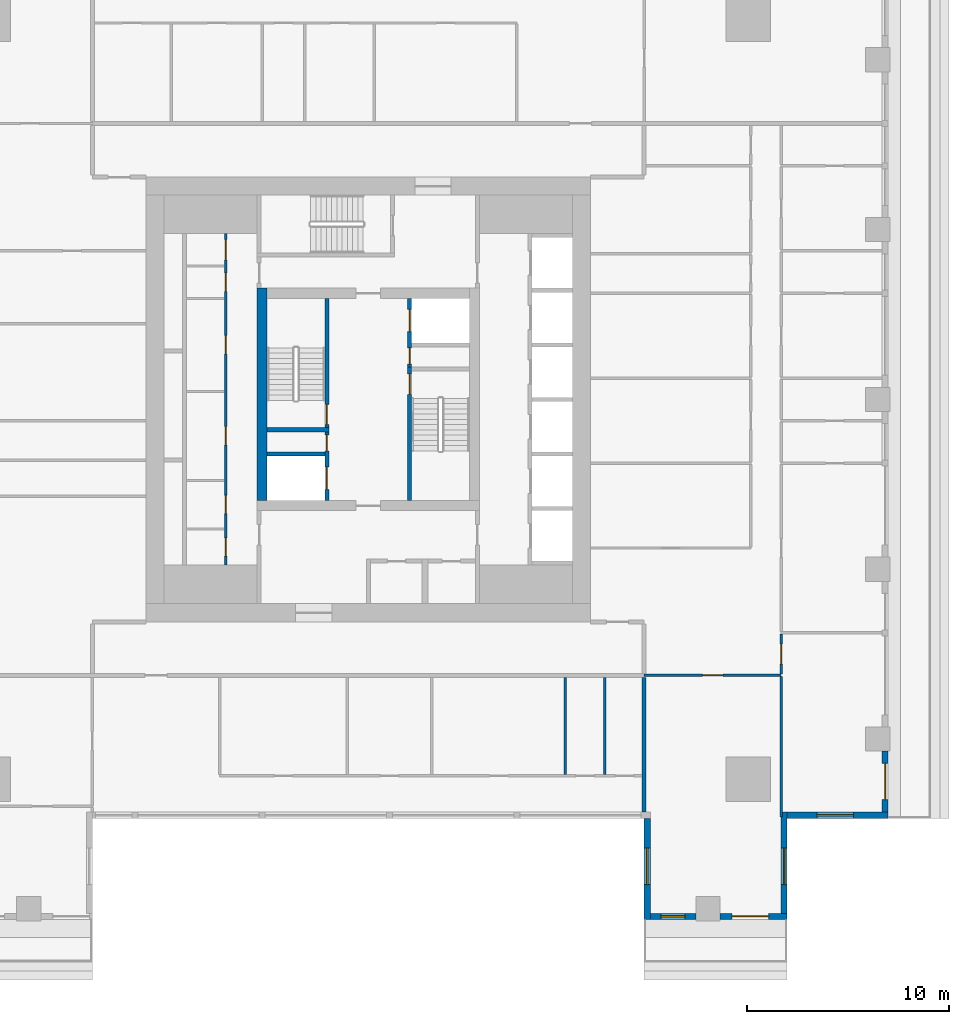
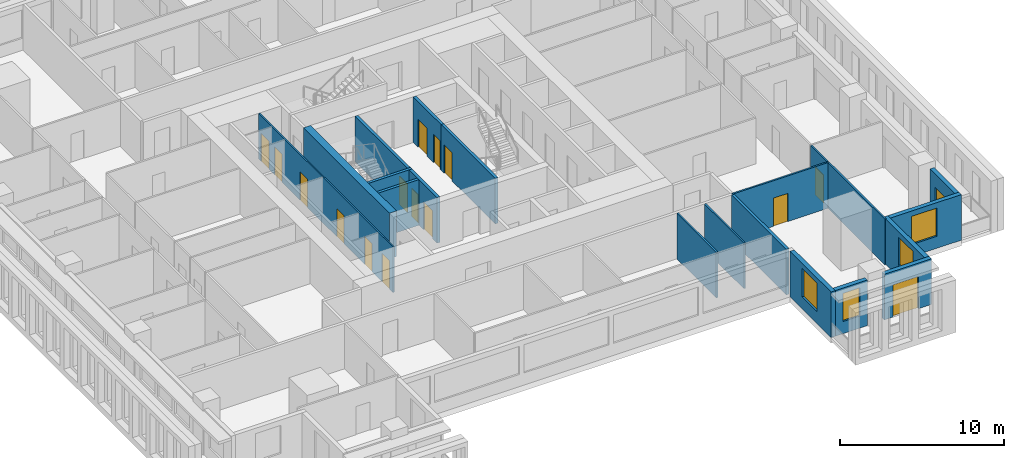
# One storey, part 4 of 14: 20 walls, 16 doors, 4 windows, 20 openings.
"""IFC4 building model written with IfcOpenShell, lengths in metres."""

from ifc_helpers import new_model, si_unit, direction, frame, frame_2d, origin, place, context, subcontext, project, spatial, rectangle, extrude, material, layer, layer_set, type_object, element, fill, save


model = new_model("IFC4")

# Units and contexts
model_context = context("Model", 3, precision=1e-05, world=origin(), true_north=direction((0.0, 1.0)))
body_context = subcontext(model_context, "Body", "Model", "MODEL_VIEW")
ifc_project = project(units=[si_unit("LENGTHUNIT", "METRE"), si_unit("AREAUNIT", "SQUARE_METRE"), si_unit("VOLUMEUNIT", "CUBIC_METRE"), si_unit("PLANEANGLEUNIT", "RADIAN"), si_unit("MASSUNIT", "GRAM", prefix="KILO")], contexts=[model_context])

# Site, building, storey
site_placement = place(None, origin())
site = spatial("IfcSite", under=ifc_project, at=site_placement, CompositionType="ELEMENT")
building_placement = place(site_placement, origin())
building = spatial("IfcBuilding", under=site, at=building_placement, Name="Khepri Terraces", CompositionType="ELEMENT")
storey_placement = place(building_placement, frame((0.0, 0.0, 283.5)))
storey = spatial("IfcBuildingStorey", under=building, at=storey_placement, Name="L68", CompositionType="ELEMENT", Elevation=283.5)

# Wall, opening, door
ifc_material_1 = material(Name="Concrete C40/50", Category="concrete")
ifc_layer_1 = layer(ifc_material_1, 0.199951171875, Name="Concrete C40/50", Category="concrete")
ifc_layer_set_1 = layer_set([ifc_layer_1], Name="Concrete C40/50")
wall_type_1 = type_object("IfcWallType", Name="Core wall 200 C40/50", PredefinedType="SHEAR", material=ifc_layer_set_1)
wall_1_placement = place(storey_placement, frame((2.050048828125, -5.0, 0.0), z_axis=(0.0, 0.0, 1.0), x_axis=(0.0, 1.0, 0.0)))
wall_1 = element("IfcWall", 1, at=wall_1_placement, inside=storey, type_object=wall_type_1, Name="Core wall ST01 L68", PredefinedType="SHEAR", context=body_context, shape_type="SweptSolid", body=[
    extrude(rectangle(XDim=6.60009765625, YDim=0.199951171875, at=frame_2d((3.300048828125, 0.0))), origin(), (0.0, 0.0, 1.0), 3.39990234375),
])
opening_1_placement = place(wall_1_placement, frame((5.25, 0.0, 0.0)))
opening_1 = element("IfcOpeningElement", 2, at=opening_1_placement, cuts=wall_1, Name="Opening L68-C10", PredefinedType="OPENING", context=body_context, shape_type="SweptSolid", body=[
    extrude(rectangle(XDim=1.0, YDim=2.10009765625, at=frame_2d((0.5, 1.050048828125))), frame((0.0, 0.10986328125, 0.0), z_axis=(0.0, -1.0, 0.0), x_axis=(1.0, 0.0, 0.0)), (0.0, 0.0, 1.0), 0.219970703125),
])
ifc_material_2 = material(Name="Painted steel", Category="steel")
door_type_1 = type_object("IfcDoorType", Name="DR-CORE-STAIR-1000", OperationType="NOTDEFINED", PredefinedType="DOOR", material=ifc_material_2)
door_1_placement = place(opening_1_placement, frame((1.0, 0.0, 0.0), z_axis=(0.0, 0.0, 1.0), x_axis=(-1.0, 0.0, 0.0)))
door_1 = element("IfcDoor", 3, at=door_1_placement, inside=storey, type_object=door_type_1, Name="Stair door L68-C10", OperationType="SINGLE_SWING_LEFT", OverallHeight=2.10009765625, OverallWidth=1.0, PredefinedType="DOOR", context=body_context, shape_type="SweptSolid", body=[
    extrude(rectangle(XDim=1.0, YDim=2.10009765625, at=frame_2d((0.5, 1.050048828125))), frame((0.0, 0.02490234375, 0.0), z_axis=(0.0, -1.0, 0.0), x_axis=(1.0, 0.0, 0.0)), (0.0, 0.0, 1.0), 0.050048828125),
])
fill(opening_1, door_1)

# Wall
wall_2_placement = place(storey_placement, frame((-5.0, -1.5, 0.0), z_axis=(0.0, 0.0, 1.0), x_axis=(1.0, 0.0, 0.0)))
element("IfcWall", 4, at=wall_2_placement, inside=storey, type_object=wall_type_1, Name="Core wall ST02 L68", PredefinedType="SHEAR", context=body_context, shape_type="SweptSolid", body=[
    extrude(rectangle(XDim=3.050048828125, YDim=0.199951171875, at=frame_2d((1.52490234375, 0.0))), origin(), (0.0, 0.0, 1.0), 3.39990234375),
])

# Wall, opening, door
wall_3_placement = place(storey_placement, frame((-2.050048828125, -1.39990234375, 0.0), z_axis=(0.0, 0.0, 1.0), x_axis=(0.0, 1.0, 0.0)))
wall_3 = element("IfcWall", 5, at=wall_3_placement, inside=storey, type_object=wall_type_1, Name="Core wall ST03 L68", PredefinedType="SHEAR", context=body_context, shape_type="SweptSolid", body=[
    extrude(rectangle(XDim=6.39990234375, YDim=0.199951171875, at=frame_2d((3.199951171875, 0.0))), origin(), (0.0, 0.0, 1.0), 3.39990234375),
])
opening_2_placement = place(wall_3_placement, frame((0.14990234375, 0.0, 0.0)))
opening_2 = element("IfcOpeningElement", 6, at=opening_2_placement, cuts=wall_3, Name="Opening L68-C09", PredefinedType="OPENING", context=body_context, shape_type="SweptSolid", body=[
    extrude(rectangle(XDim=1.0, YDim=2.10009765625, at=frame_2d((0.5, 1.050048828125))), frame((0.0, 0.10986328125, 0.0), z_axis=(0.0, -1.0, 0.0), x_axis=(1.0, 0.0, 0.0)), (0.0, 0.0, 1.0), 0.219970703125),
])
door_2_placement = place(opening_2_placement, origin())
door_2 = element("IfcDoor", 7, at=door_2_placement, inside=storey, type_object=door_type_1, Name="Stair door L68-C09", OperationType="SINGLE_SWING_LEFT", OverallHeight=2.10009765625, OverallWidth=1.0, PredefinedType="DOOR", context=body_context, shape_type="SweptSolid", body=[
    extrude(rectangle(XDim=1.0, YDim=2.10009765625, at=frame_2d((0.5, 1.050048828125))), frame((0.0, 0.02490234375, 0.0), z_axis=(0.0, -1.0, 0.0), x_axis=(1.0, 0.0, 0.0)), (0.0, 0.0, 1.0), 0.050048828125),
])
fill(opening_2, door_2)

# Wall, openings, doors
wall_4_placement = place(storey_placement, frame((-2.050048828125, -5.0, 0.0), z_axis=(0.0, 0.0, 1.0), x_axis=(0.0, 1.0, 0.0)))
wall_4 = element("IfcWall", 8, at=wall_4_placement, inside=storey, type_object=wall_type_1, Name="Core wall SH05 L68", PredefinedType="SHEAR", context=body_context, shape_type="SweptSolid", body=[
    extrude(rectangle(XDim=3.39990234375, YDim=0.199951171875, at=frame_2d((1.699951171875, 0.0))), origin(), (0.0, 0.0, 1.0), 3.39990234375),
])
opening_3_placement = place(wall_4_placement, frame((0.550048828125, 0.0, 0.0)))
opening_3 = element("IfcOpeningElement", 9, at=opening_3_placement, cuts=wall_4, Name="Opening L68-C08", PredefinedType="OPENING", context=body_context, shape_type="SweptSolid", body=[
    extrude(rectangle(XDim=1.10009765625, YDim=2.10009765625, at=frame_2d((0.550048828125, 1.050048828125))), frame((0.0, 0.10986328125, 0.0), z_axis=(0.0, -1.0, 0.0), x_axis=(1.0, 0.0, 0.0)), (0.0, 0.0, 1.0), 0.219970703125),
])
opening_4_placement = place(wall_4_placement, frame((2.449951171875, 0.0, 0.0)))
opening_4 = element("IfcOpeningElement", 10, at=opening_4_placement, cuts=wall_4, Name="Opening L68-C12", PredefinedType="OPENING", context=body_context, shape_type="SweptSolid", body=[
    extrude(rectangle(XDim=0.800048828125, YDim=2.10009765625, at=frame_2d((0.39990234375, 1.050048828125))), frame((0.0, 0.10986328125, 0.0), z_axis=(0.0, -1.0, 0.0), x_axis=(1.0, 0.0, 0.0)), (0.0, 0.0, 1.0), 0.219970703125),
])
ifc_material_3 = material(Name="Stainless steel 304", Category="steel")
door_type_2 = type_object("IfcDoorType", Name="DR-CORE-FF-LANDING-1100", OperationType="NOTDEFINED", PredefinedType="DOOR", material=ifc_material_3)
door_3_placement = place(opening_3_placement, origin())
door_3 = element("IfcDoor", 11, at=door_3_placement, inside=storey, type_object=door_type_2, Name="Firefighting lift landing door L68-C08", OperationType="SLIDING_TO_LEFT", OverallHeight=2.10009765625, OverallWidth=1.10009765625, PredefinedType="DOOR", context=body_context, shape_type="SweptSolid", body=[
    extrude(rectangle(XDim=1.10009765625, YDim=2.10009765625, at=frame_2d((0.550048828125, 1.050048828125))), frame((0.0, 0.02490234375, 0.0), z_axis=(0.0, -1.0, 0.0), x_axis=(1.0, 0.0, 0.0)), (0.0, 0.0, 1.0), 0.050048828125),
])
fill(opening_3, door_3)
door_type_3 = type_object("IfcDoorType", Name="DR-CORE-RISER-800", OperationType="NOTDEFINED", PredefinedType="DOOR", material=ifc_material_2)
door_4_placement = place(opening_4_placement, origin())
door_4 = element("IfcDoor", 12, at=door_4_placement, inside=storey, type_object=door_type_3, Name="Riser door L68-C12", OperationType="SINGLE_SWING_RIGHT", OverallHeight=2.10009765625, OverallWidth=0.800048828125, PredefinedType="DOOR", context=body_context, shape_type="SweptSolid", body=[
    extrude(rectangle(XDim=0.800048828125, YDim=2.10009765625, at=frame_2d((0.39990234375, 1.050048828125))), frame((0.0, 0.02490234375, 0.0), z_axis=(0.0, -1.0, 0.0), x_axis=(1.0, 0.0, 0.0)), (0.0, 0.0, 1.0), 0.050048828125),
])
fill(opening_4, door_4)

# Wall
wall_5_placement = place(storey_placement, frame((-5.0, -2.699951171875, 0.0), z_axis=(0.0, 0.0, 1.0), x_axis=(1.0, 0.0, 0.0)))
element("IfcWall", 13, at=wall_5_placement, inside=storey, type_object=wall_type_1, Name="Core wall SH07 L68", PredefinedType="SHEAR", context=body_context, shape_type="SweptSolid", body=[
    extrude(rectangle(XDim=2.85009765625, YDim=0.199951171875, at=frame_2d((1.425048828125, 0.0))), origin(), (0.0, 0.0, 1.0), 3.39990234375),
])

# Wall, openings, doors
wall_6_placement = place(storey_placement, frame((2.050048828125, 1.60009765625, 0.0), z_axis=(0.0, 0.0, 1.0), x_axis=(0.0, 1.0, 0.0)))
wall_6 = element("IfcWall", 14, at=wall_6_placement, inside=storey, type_object=wall_type_1, Name="Core wall SH10 L68", PredefinedType="SHEAR", context=body_context, shape_type="SweptSolid", body=[
    extrude(rectangle(XDim=3.39990234375, YDim=0.199951171875, at=frame_2d((1.699951171875, 0.0))), origin(), (0.0, 0.0, 1.0), 3.39990234375),
])
opening_5_placement = place(wall_6_placement, frame((1.75, 0.0, 0.0)))
opening_5 = element("IfcOpeningElement", 15, at=opening_5_placement, cuts=wall_6, Name="Opening L68-C07", PredefinedType="OPENING", context=body_context, shape_type="SweptSolid", body=[
    extrude(rectangle(XDim=1.10009765625, YDim=2.10009765625, at=frame_2d((0.550048828125, 1.050048828125))), frame((0.0, 0.10986328125, 0.0), z_axis=(0.0, -1.0, 0.0), x_axis=(1.0, 0.0, 0.0)), (0.0, 0.0, 1.0), 0.219970703125),
])
opening_6_placement = place(wall_6_placement, frame((0.14990234375, 0.0, 0.0)))
opening_6 = element("IfcOpeningElement", 16, at=opening_6_placement, cuts=wall_6, Name="Opening L68-C11", PredefinedType="OPENING", context=body_context, shape_type="SweptSolid", body=[
    extrude(rectangle(XDim=0.800048828125, YDim=2.10009765625, at=frame_2d((0.39990234375, 1.050048828125))), frame((0.0, 0.10986328125, 0.0), z_axis=(0.0, -1.0, 0.0), x_axis=(1.0, 0.0, 0.0)), (0.0, 0.0, 1.0), 0.219970703125),
])
door_5_placement = place(opening_5_placement, origin())
door_5 = element("IfcDoor", 17, at=door_5_placement, inside=storey, type_object=door_type_2, Name="Firefighting lift landing door L68-C07", OperationType="SLIDING_TO_LEFT", OverallHeight=2.10009765625, OverallWidth=1.10009765625, PredefinedType="DOOR", context=body_context, shape_type="SweptSolid", body=[
    extrude(rectangle(XDim=1.10009765625, YDim=2.10009765625, at=frame_2d((0.550048828125, 1.050048828125))), frame((0.0, 0.02490234375, 0.0), z_axis=(0.0, -1.0, 0.0), x_axis=(1.0, 0.0, 0.0)), (0.0, 0.0, 1.0), 0.050048828125),
])
fill(opening_5, door_5)
door_6_placement = place(opening_6_placement, frame((0.800048828125, 0.0, 0.0), z_axis=(0.0, 0.0, 1.0), x_axis=(-1.0, 0.0, 0.0)))
door_6 = element("IfcDoor", 18, at=door_6_placement, inside=storey, type_object=door_type_3, Name="Riser door L68-C11", OperationType="SINGLE_SWING_RIGHT", OverallHeight=2.10009765625, OverallWidth=0.800048828125, PredefinedType="DOOR", context=body_context, shape_type="SweptSolid", body=[
    extrude(rectangle(XDim=0.800048828125, YDim=2.10009765625, at=frame_2d((0.39990234375, 1.050048828125))), frame((0.0, 0.02490234375, 0.0), z_axis=(0.0, -1.0, 0.0), x_axis=(1.0, 0.0, 0.0)), (0.0, 0.0, 1.0), 0.050048828125),
])
fill(opening_6, door_6)

# Wall
ifc_layer_2 = layer(ifc_material_1, 0.5, Name="Concrete C40/50", Category="concrete")
ifc_layer_set_2 = layer_set([ifc_layer_2], Name="Concrete C40/50")
wall_type_2 = type_object("IfcWallType", Name="Core wall 500 C40/50", PredefinedType="SHEAR", material=ifc_layer_set_2)
wall_7_placement = place(storey_placement, frame((-5.25, -5.0, 0.0), z_axis=(0.0, 0.0, 1.0), x_axis=(0.0, 1.0, 0.0)))
element("IfcWall", 19, at=wall_7_placement, inside=storey, type_object=wall_type_2, Name="Core wall BX02 L68", PredefinedType="SHEAR", context=body_context, shape_type="SweptSolid", body=[
    extrude(rectangle(XDim=10.5, YDim=0.5, at=frame_2d((5.25, 0.0))), origin(), (0.0, 0.0, 1.0), 3.39990234375),
])

# Wall, openings, doors
ifc_material_4 = material(Name="Fire-rated gypsum board partition")
ifc_layer_3 = layer(ifc_material_4, 0.10009765625, Name="Fire-rated gypsum board partition")
ifc_layer_set_3 = layer_set([ifc_layer_3], Name="Fire-rated gypsum board partition")
wall_type_3 = type_object("IfcWallType", Name="WL-CORE-PART-100", PredefinedType="PARTITIONING", material=ifc_layer_set_3)
wall_8_placement = place(storey_placement, frame((-7.050048828125, -8.199951171875, 0.0), z_axis=(0.0, 0.0, 1.0), x_axis=(0.0, 1.0, 0.0)))
wall_8 = element("IfcWall", 20, at=wall_8_placement, inside=storey, type_object=wall_type_3, Name="Core partition PT05 L68", PredefinedType="PARTITIONING", context=body_context, shape_type="SweptSolid", body=[
    extrude(rectangle(XDim=16.39990234375, YDim=0.10009765625, at=frame_2d((8.199951171875, 0.0))), origin(), (0.0, 0.0, 1.0), 3.39990234375),
])
opening_7_placement = place(wall_8_placement, frame((0.449951171875, 0.0, 0.0)))
opening_7 = element("IfcOpeningElement", 21, at=opening_7_placement, cuts=wall_8, Name="Opening L68-C24", PredefinedType="OPENING", context=body_context, shape_type="SweptSolid", body=[
    extrude(rectangle(XDim=0.89990234375, YDim=2.10009765625, at=frame_2d((0.449951171875, 1.050048828125))), frame((0.0, 0.06005859375, 0.0), z_axis=(0.0, -1.0, 0.0), x_axis=(1.0, 0.0, 0.0)), (0.0, 0.0, 1.0), 0.1201171875),
])
opening_8_placement = place(wall_8_placement, frame((2.550048828125, 0.0, 0.0)))
opening_8 = element("IfcOpeningElement", 22, at=opening_8_placement, cuts=wall_8, Name="Opening L68-C25", PredefinedType="OPENING", context=body_context, shape_type="SweptSolid", body=[
    extrude(rectangle(XDim=0.89990234375, YDim=2.10009765625, at=frame_2d((0.449951171875, 1.050048828125))), frame((0.0, 0.06005859375, 0.0), z_axis=(0.0, -1.0, 0.0), x_axis=(1.0, 0.0, 0.0)), (0.0, 0.0, 1.0), 0.1201171875),
])
opening_9_placement = place(wall_8_placement, frame((5.949951171875, 0.0, 0.0)))
opening_9 = element("IfcOpeningElement", 23, at=opening_9_placement, cuts=wall_8, Name="Opening L68-C26", PredefinedType="OPENING", context=body_context, shape_type="SweptSolid", body=[
    extrude(rectangle(XDim=0.89990234375, YDim=2.10009765625, at=frame_2d((0.449951171875, 1.050048828125))), frame((0.0, 0.06005859375, 0.0), z_axis=(0.0, -1.0, 0.0), x_axis=(1.0, 0.0, 0.0)), (0.0, 0.0, 1.0), 0.1201171875),
])
opening_10_placement = place(wall_8_placement, frame((10.449951171875, 0.0, 0.0)))
opening_10 = element("IfcOpeningElement", 24, at=opening_10_placement, cuts=wall_8, Name="Opening L68-C27", PredefinedType="OPENING", context=body_context, shape_type="SweptSolid", body=[
    extrude(rectangle(XDim=0.89990234375, YDim=2.10009765625, at=frame_2d((0.449951171875, 1.050048828125))), frame((0.0, 0.06005859375, 0.0), z_axis=(0.0, -1.0, 0.0), x_axis=(1.0, 0.0, 0.0)), (0.0, 0.0, 1.0), 0.1201171875),
])
opening_11_placement = place(wall_8_placement, frame((13.550048828125, 0.0, 0.0)))
opening_11 = element("IfcOpeningElement", 25, at=opening_11_placement, cuts=wall_8, Name="Opening L68-C28", PredefinedType="OPENING", context=body_context, shape_type="SweptSolid", body=[
    extrude(rectangle(XDim=0.89990234375, YDim=2.10009765625, at=frame_2d((0.449951171875, 1.050048828125))), frame((0.0, 0.06005859375, 0.0), z_axis=(0.0, -1.0, 0.0), x_axis=(1.0, 0.0, 0.0)), (0.0, 0.0, 1.0), 0.1201171875),
])
opening_12_placement = place(wall_8_placement, frame((15.10009765625, 0.0, 0.0)))
opening_12 = element("IfcOpeningElement", 26, at=opening_12_placement, cuts=wall_8, Name="Opening L68-C29", PredefinedType="OPENING", context=body_context, shape_type="SweptSolid", body=[
    extrude(rectangle(XDim=1.0, YDim=2.10009765625, at=frame_2d((0.5, 1.050048828125))), frame((0.0, 0.06005859375, 0.0), z_axis=(0.0, -1.0, 0.0), x_axis=(1.0, 0.0, 0.0)), (0.0, 0.0, 1.0), 0.1201171875),
])
door_type_4 = type_object("IfcDoorType", Name="DR-CORE-SERVICE-900", OperationType="NOTDEFINED", PredefinedType="DOOR", material=ifc_material_2)
door_7_placement = place(opening_7_placement, origin())
door_7 = element("IfcDoor", 27, at=door_7_placement, inside=storey, type_object=door_type_4, Name="Service room door L68-C24", OperationType="SINGLE_SWING_LEFT", OverallHeight=2.10009765625, OverallWidth=0.89990234375, PredefinedType="DOOR", context=body_context, shape_type="SweptSolid", body=[
    extrude(rectangle(XDim=0.89990234375, YDim=2.10009765625, at=frame_2d((0.449951171875, 1.050048828125))), frame((0.0, 0.02490234375, 0.0), z_axis=(0.0, -1.0, 0.0), x_axis=(1.0, 0.0, 0.0)), (0.0, 0.0, 1.0), 0.050048828125),
])
fill(opening_7, door_7)
door_8_placement = place(opening_8_placement, origin())
door_8 = element("IfcDoor", 28, at=door_8_placement, inside=storey, type_object=door_type_4, Name="Service room door L68-C25", OperationType="SINGLE_SWING_LEFT", OverallHeight=2.10009765625, OverallWidth=0.89990234375, PredefinedType="DOOR", context=body_context, shape_type="SweptSolid", body=[
    extrude(rectangle(XDim=0.89990234375, YDim=2.10009765625, at=frame_2d((0.449951171875, 1.050048828125))), frame((0.0, 0.02490234375, 0.0), z_axis=(0.0, -1.0, 0.0), x_axis=(1.0, 0.0, 0.0)), (0.0, 0.0, 1.0), 0.050048828125),
])
fill(opening_8, door_8)
door_9_placement = place(opening_9_placement, origin())
door_9 = element("IfcDoor", 29, at=door_9_placement, inside=storey, type_object=door_type_4, Name="Service room door L68-C26", OperationType="SINGLE_SWING_LEFT", OverallHeight=2.10009765625, OverallWidth=0.89990234375, PredefinedType="DOOR", context=body_context, shape_type="SweptSolid", body=[
    extrude(rectangle(XDim=0.89990234375, YDim=2.10009765625, at=frame_2d((0.449951171875, 1.050048828125))), frame((0.0, 0.02490234375, 0.0), z_axis=(0.0, -1.0, 0.0), x_axis=(1.0, 0.0, 0.0)), (0.0, 0.0, 1.0), 0.050048828125),
])
fill(opening_9, door_9)
door_10_placement = place(opening_10_placement, origin())
door_10 = element("IfcDoor", 30, at=door_10_placement, inside=storey, type_object=door_type_4, Name="Service room door L68-C27", OperationType="SINGLE_SWING_RIGHT", OverallHeight=2.10009765625, OverallWidth=0.89990234375, PredefinedType="DOOR", context=body_context, shape_type="SweptSolid", body=[
    extrude(rectangle(XDim=0.89990234375, YDim=2.10009765625, at=frame_2d((0.449951171875, 1.050048828125))), frame((0.0, 0.02490234375, 0.0), z_axis=(0.0, -1.0, 0.0), x_axis=(1.0, 0.0, 0.0)), (0.0, 0.0, 1.0), 0.050048828125),
])
fill(opening_10, door_10)
door_11_placement = place(opening_11_placement, origin())
door_11 = element("IfcDoor", 31, at=door_11_placement, inside=storey, type_object=door_type_4, Name="Service room door L68-C28", OperationType="SINGLE_SWING_RIGHT", OverallHeight=2.10009765625, OverallWidth=0.89990234375, PredefinedType="DOOR", context=body_context, shape_type="SweptSolid", body=[
    extrude(rectangle(XDim=0.89990234375, YDim=2.10009765625, at=frame_2d((0.449951171875, 1.050048828125))), frame((0.0, 0.02490234375, 0.0), z_axis=(0.0, -1.0, 0.0), x_axis=(1.0, 0.0, 0.0)), (0.0, 0.0, 1.0), 0.050048828125),
])
fill(opening_11, door_11)
ifc_material_5 = material(Name="Timber veneer", Category="wood")
door_type_5 = type_object("IfcDoorType", Name="DR-CORE-WC-1000", OperationType="NOTDEFINED", PredefinedType="DOOR", material=ifc_material_5)
door_12_placement = place(opening_12_placement, origin())
door_12 = element("IfcDoor", 32, at=door_12_placement, inside=storey, type_object=door_type_5, Name="WC door L68-C29", OperationType="SINGLE_SWING_RIGHT", OverallHeight=2.10009765625, OverallWidth=1.0, PredefinedType="DOOR", context=body_context, shape_type="SweptSolid", body=[
    extrude(rectangle(XDim=1.0, YDim=2.10009765625, at=frame_2d((0.5, 1.050048828125))), frame((0.0, 0.02490234375, 0.0), z_axis=(0.0, -1.0, 0.0), x_axis=(1.0, 0.0, 0.0)), (0.0, 0.0, 1.0), 0.050048828125),
])
fill(opening_12, door_12)

# Wall
ifc_material_6 = material(Name="Fire-rated gypsum plasterboard partition, mineral wool")
ifc_layer_4 = layer(ifc_material_6, 0.199951171875, Name="Fire-rated gypsum plasterboard partition, mineral wool")
ifc_layer_set_4 = layer_set([ifc_layer_4], Name="Fire-rated gypsum plasterboard partition, mineral wool")
wall_type_4 = type_object("IfcWallType", Name="WL-CORR-200", PredefinedType="PARTITIONING", material=ifc_layer_set_4)
wall_9_placement = place(storey_placement, frame((13.64990234375, -20.419921875, 0.0), z_axis=(0.0, 0.0, 1.0), x_axis=(0.0, 1.0, 0.0)))
element("IfcWall", 33, at=wall_9_placement, inside=storey, type_object=wall_type_4, Name="Partition P-003 L68", PredefinedType="PARTITIONING", context=body_context, shape_type="SweptSolid", body=[
    extrude(rectangle(XDim=6.669921875, YDim=0.199951171875, at=frame_2d((3.3349609375, 0.0))), origin(), (0.0, 0.0, 1.0), 3.39990234375),
])

# Wall, opening, window
ifc_material_7 = material(Name="Precast concrete C50/60 warm stone", Category="masonry")
ifc_layer_5 = layer(ifc_material_7, 0.300048828125, Name="Precast concrete C50/60 warm stone", Category="masonry")
ifc_layer_set_5 = layer_set([ifc_layer_5], Name="Precast concrete C50/60 warm stone")
wall_type_5 = type_object("IfcWallType", Name="WL-EXT-PRECAST-300", PredefinedType="STANDARD", material=ifc_layer_set_5)
wall_10_placement = place(storey_placement, frame((20.719970703125, -20.570068359375, 0.0), z_axis=(0.0, 0.0, 1.0), x_axis=(1.0, 0.0, 0.0)))
wall_10 = element("IfcWall", 34, at=wall_10_placement, inside=storey, type_object=wall_type_5, Name="External wall L68 S", PredefinedType="STANDARD", context=body_context, shape_type="SweptSolid", body=[
    extrude(rectangle(XDim=5.0, YDim=0.300048828125, at=frame_2d((2.5, 0.0))), origin(), (0.0, 0.0, 1.0), 3.39990234375),
])
opening_13_placement = place(wall_10_placement, frame((1.47998046875, 0.0, 0.89990234375)))
opening_13 = element("IfcOpeningElement", 35, at=opening_13_placement, cuts=wall_10, Name="Opening W1", PredefinedType="OPENING", context=body_context, shape_type="SweptSolid", body=[
    extrude(rectangle(XDim=1.800048828125, YDim=2.10009765625, at=frame_2d((0.89990234375, 1.050048828125))), frame((0.0, 0.16015625, 0.0), z_axis=(0.0, -1.0, 0.0), x_axis=(1.0, 0.0, 0.0)), (0.0, 0.0, 1.0), 0.320068359375),
])
ifc_material_8 = material(Name="Clear glass", Category="glass")
window_type_1 = type_object("IfcWindowType", Name="WIN-RES-1800x2100", PartitioningType="SINGLE_PANEL", PredefinedType="WINDOW", material=ifc_material_8)
window_1_placement = place(opening_13_placement, origin())
window_1 = element("IfcWindow", 36, at=window_1_placement, inside=storey, type_object=window_type_1, Name="Window L68 S", OverallHeight=2.10009765625, OverallWidth=1.800048828125, PartitioningType="SINGLE_PANEL", PredefinedType="WINDOW", context=body_context, shape_type="SweptSolid", body=[
    extrude(rectangle(XDim=1.800048828125, YDim=2.10009765625, at=frame_2d((0.89990234375, 1.050048828125))), frame((0.0, 0.030029296875, 0.0), z_axis=(0.0, -1.0, 0.0), x_axis=(1.0, 0.0, 0.0)), (0.0, 0.0, 1.0), 0.06005859375),
])
fill(opening_13, window_1)

# Wall, opening, door
wall_11_placement = place(storey_placement, frame((25.570068359375, -20.419921875, 0.0), z_axis=(0.0, 0.0, 1.0), x_axis=(0.0, 1.0, 0.0)))
wall_11 = element("IfcWall", 37, at=wall_11_placement, inside=storey, type_object=wall_type_5, Name="External wall L68 E", PredefinedType="STANDARD", context=body_context, shape_type="SweptSolid", body=[
    extrude(rectangle(XDim=3.02001953125, YDim=0.300048828125, at=frame_2d((1.510009765625, 0.0))), origin(), (0.0, 0.0, 1.0), 3.39990234375),
])
opening_14_placement = place(wall_11_placement, frame((0.6201171875, 0.0, 0.0)))
opening_14 = element("IfcOpeningElement", 38, at=opening_14_placement, cuts=wall_11, Name="Opening ED-L68-01", PredefinedType="OPENING", context=body_context, shape_type="SweptSolid", body=[
    extrude(rectangle(XDim=1.800048828125, YDim=2.39990234375, at=frame_2d((0.89990234375, 1.199951171875))), frame((0.0, 0.16015625, 0.0), z_axis=(0.0, -1.0, 0.0), x_axis=(1.0, 0.0, 0.0)), (0.0, 0.0, 1.0), 0.320068359375),
])
ifc_material_9 = material(Name="Anodised aluminium bronze glazed door", Category="aluminium")
door_type_6 = type_object("IfcDoorType", Name="DR-BAL-SLIDE-1800x2400", OperationType="NOTDEFINED", PredefinedType="DOOR", material=ifc_material_9)
door_13_placement = place(opening_14_placement, origin())
door_13 = element("IfcDoor", 39, at=door_13_placement, inside=storey, type_object=door_type_6, Name="Balcony door L68 E", OperationType="SLIDING_TO_RIGHT", OverallHeight=2.39990234375, OverallWidth=1.800048828125, PredefinedType="DOOR", context=body_context, shape_type="SweptSolid", body=[
    extrude(rectangle(XDim=1.800048828125, YDim=2.39990234375, at=frame_2d((0.89990234375, 1.199951171875))), frame((0.0, 0.02490234375, 0.0), z_axis=(0.0, -1.0, 0.0), x_axis=(1.0, 0.0, 0.0)), (0.0, 0.0, 1.0), 0.050048828125),
])
fill(opening_14, door_13)

# Wall, opening, window
wall_12_placement = place(storey_placement, frame((13.800048828125, -20.719970703125, 0.0), z_axis=(0.0, 0.0, 1.0), x_axis=(0.0, -1.0, 0.0)))
wall_12 = element("IfcWall", 40, at=wall_12_placement, inside=storey, type_object=wall_type_5, Name="External wall L68 W", PredefinedType="STANDARD", context=body_context, shape_type="SweptSolid", body=[
    extrude(rectangle(XDim=5.0, YDim=0.300048828125, at=frame_2d((2.5, 0.0))), origin(), (0.0, 0.0, 1.0), 3.39990234375),
])
opening_15_placement = place(wall_12_placement, frame((1.47998046875, 0.0, 0.89990234375)))
opening_15 = element("IfcOpeningElement", 41, at=opening_15_placement, cuts=wall_12, Name="Opening W1", PredefinedType="OPENING", context=body_context, shape_type="SweptSolid", body=[
    extrude(rectangle(XDim=1.800048828125, YDim=2.10009765625, at=frame_2d((0.89990234375, 1.050048828125))), frame((0.0, 0.16015625, 0.0), z_axis=(0.0, -1.0, 0.0), x_axis=(1.0, 0.0, 0.0)), (0.0, 0.0, 1.0), 0.320068359375),
])
window_2_placement = place(opening_15_placement, origin())
window_2 = element("IfcWindow", 42, at=window_2_placement, inside=storey, type_object=window_type_1, Name="Window L68 W", OverallHeight=2.10009765625, OverallWidth=1.800048828125, PartitioningType="SINGLE_PANEL", PredefinedType="WINDOW", context=body_context, shape_type="SweptSolid", body=[
    extrude(rectangle(XDim=1.800048828125, YDim=2.10009765625, at=frame_2d((0.89990234375, 1.050048828125))), frame((0.0, 0.030029296875, 0.0), z_axis=(0.0, -1.0, 0.0), x_axis=(1.0, 0.0, 0.0)), (0.0, 0.0, 1.0), 0.06005859375),
])
fill(opening_15, window_2)

wall_13_placement = place(storey_placement, frame((13.949951171875, -25.570068359375, 0.0), z_axis=(0.0, 0.0, 1.0), x_axis=(1.0, 0.0, 0.0)))
wall_13 = element("IfcWall", 43, at=wall_13_placement, inside=storey, type_object=wall_type_5, Name="External wall L68 S", PredefinedType="STANDARD", context=body_context, shape_type="SweptSolid", body=[
    extrude(rectangle(XDim=2.25, YDim=0.300048828125, at=frame_2d((1.125, 0.0))), origin(), (0.0, 0.0, 1.0), 3.39990234375),
])
opening_16_placement = place(wall_13_placement, frame((0.52490234375, 0.0, 0.89990234375)))
opening_16 = element("IfcOpeningElement", 44, at=opening_16_placement, cuts=wall_13, Name="Opening W4", PredefinedType="OPENING", context=body_context, shape_type="SweptSolid", body=[
    extrude(rectangle(XDim=1.199951171875, YDim=2.10009765625, at=frame_2d((0.60009765625, 1.050048828125))), frame((0.0, 0.16015625, 0.0), z_axis=(0.0, -1.0, 0.0), x_axis=(1.0, 0.0, 0.0)), (0.0, 0.0, 1.0), 0.320068359375),
])
window_type_2 = type_object("IfcWindowType", Name="WIN-RES-1200x2100", PartitioningType="SINGLE_PANEL", PredefinedType="WINDOW", material=ifc_material_8)
window_3_placement = place(opening_16_placement, origin())
window_3 = element("IfcWindow", 45, at=window_3_placement, inside=storey, type_object=window_type_2, Name="Window L68 S", OverallHeight=2.10009765625, OverallWidth=1.199951171875, PartitioningType="SINGLE_PANEL", PredefinedType="WINDOW", context=body_context, shape_type="SweptSolid", body=[
    extrude(rectangle(XDim=1.199951171875, YDim=2.10009765625, at=frame_2d((0.60009765625, 1.050048828125))), frame((0.0, 0.030029296875, 0.0), z_axis=(0.0, -1.0, 0.0), x_axis=(1.0, 0.0, 0.0)), (0.0, 0.0, 1.0), 0.06005859375),
])
fill(opening_16, window_3)

# Wall, opening, door
wall_14_placement = place(storey_placement, frame((17.39990234375, -25.570068359375, 0.0), z_axis=(0.0, 0.0, 1.0), x_axis=(1.0, 0.0, 0.0)))
wall_14 = element("IfcWall", 46, at=wall_14_placement, inside=storey, type_object=wall_type_5, Name="External wall L68 S", PredefinedType="STANDARD", context=body_context, shape_type="SweptSolid", body=[
    extrude(rectangle(XDim=3.320068359375, YDim=0.300048828125, at=frame_2d((1.66015625, 0.0))), origin(), (0.0, 0.0, 1.0), 3.39990234375),
])
opening_17_placement = place(wall_14_placement, frame((0.60009765625, 0.0, 0.0)))
opening_17 = element("IfcOpeningElement", 47, at=opening_17_placement, cuts=wall_14, Name="Opening ED-L68-13", PredefinedType="OPENING", context=body_context, shape_type="SweptSolid", body=[
    extrude(rectangle(XDim=1.800048828125, YDim=2.39990234375, at=frame_2d((0.89990234375, 1.199951171875))), frame((0.0, 0.16015625, 0.0), z_axis=(0.0, -1.0, 0.0), x_axis=(1.0, 0.0, 0.0)), (0.0, 0.0, 1.0), 0.320068359375),
])
door_14_placement = place(opening_17_placement, origin())
door_14 = element("IfcDoor", 48, at=door_14_placement, inside=storey, type_object=door_type_6, Name="Balcony door L68 S", OperationType="SLIDING_TO_LEFT", OverallHeight=2.39990234375, OverallWidth=1.800048828125, PredefinedType="DOOR", context=body_context, shape_type="SweptSolid", body=[
    extrude(rectangle(XDim=1.800048828125, YDim=2.39990234375, at=frame_2d((0.89990234375, 1.199951171875))), frame((0.0, 0.02490234375, 0.0), z_axis=(0.0, -1.0, 0.0), x_axis=(1.0, 0.0, 0.0)), (0.0, 0.0, 1.0), 0.050048828125),
])
fill(opening_17, door_14)

# Wall, opening, window
wall_15_placement = place(storey_placement, frame((20.570068359375, -25.419921875, 0.0), z_axis=(0.0, 0.0, 1.0), x_axis=(0.0, 1.0, 0.0)))
wall_15 = element("IfcWall", 49, at=wall_15_placement, inside=storey, type_object=wall_type_5, Name="External wall L68 E", PredefinedType="STANDARD", context=body_context, shape_type="SweptSolid", body=[
    extrude(rectangle(XDim=5.0, YDim=0.300048828125, at=frame_2d((2.5, 0.0))), origin(), (0.0, 0.0, 1.0), 3.39990234375),
])
opening_18_placement = place(wall_15_placement, frame((1.419921875, 0.0, 0.89990234375)))
opening_18 = element("IfcOpeningElement", 50, at=opening_18_placement, cuts=wall_15, Name="Opening W1", PredefinedType="OPENING", context=body_context, shape_type="SweptSolid", body=[
    extrude(rectangle(XDim=1.800048828125, YDim=2.10009765625, at=frame_2d((0.89990234375, 1.050048828125))), frame((0.0, 0.16015625, 0.0), z_axis=(0.0, -1.0, 0.0), x_axis=(1.0, 0.0, 0.0)), (0.0, 0.0, 1.0), 0.320068359375),
])
window_4_placement = place(opening_18_placement, origin())
window_4 = element("IfcWindow", 51, at=window_4_placement, inside=storey, type_object=window_type_1, Name="Window L68 E", OverallHeight=2.10009765625, OverallWidth=1.800048828125, PartitioningType="SINGLE_PANEL", PredefinedType="WINDOW", context=body_context, shape_type="SweptSolid", body=[
    extrude(rectangle(XDim=1.800048828125, YDim=2.10009765625, at=frame_2d((0.89990234375, 1.050048828125))), frame((0.0, 0.030029296875, 0.0), z_axis=(0.0, -1.0, 0.0), x_axis=(1.0, 0.0, 0.0)), (0.0, 0.0, 1.0), 0.06005859375),
])
fill(opening_18, window_4)

# Walls
ifc_material_10 = material(Name="Gypsum plasterboard partition")
ifc_layer_6 = layer(ifc_material_10, 0.1201171875, Name="Gypsum plasterboard partition")
ifc_layer_set_6 = layer_set([ifc_layer_6], Name="Gypsum plasterboard partition")
wall_type_6 = type_object("IfcWallType", Name="WL-PART-120", PredefinedType="PARTITIONING", material=ifc_layer_set_6)
wall_16_placement = place(storey_placement, frame((20.419921875, -20.658935546875, 0.0), z_axis=(0.0, 0.0, 1.0), x_axis=(0.0, 1.0, 0.0)))
element("IfcWall", 52, at=wall_16_placement, inside=storey, type_object=wall_type_6, Name="Partition P-005 L68", PredefinedType="PARTITIONING", context=body_context, shape_type="SweptSolid", body=[
    extrude(rectangle(XDim=6.948974609375, YDim=0.1201171875, at=frame_2d((3.474609375, 0.0))), origin(), (0.0, 0.0, 1.0), 3.39990234375),
])
for number, where, z_axis, x_axis, name in (
    (53, (9.75, -18.56005859375, 0.0), (0.0, 0.0, 1.0), (0.0, 1.0, 0.0), "Partition P-012 L68"),
    (54, (11.699951171875, -18.56005859375, 0.0), (0.0, 0.0, 1.0), (0.0, 1.0, 0.0), "Partition P-013 L68"),
):
    element("IfcWall", number, at=place(storey_placement, frame(where, z_axis=z_axis, x_axis=x_axis)), inside=storey, type_object=wall_type_6, Name=name, PredefinedType="PARTITIONING", context=body_context, shape_type="SweptSolid", body=[
        extrude(rectangle(XDim=4.81005859375, YDim=0.1201171875, at=frame_2d((2.405029296875, 0.0))), origin(), (0.0, 0.0, 1.0), 3.39990234375),
    ])

# Wall, opening, door
wall_17_placement = place(storey_placement, frame((13.64990234375, -13.64990234375, 0.0), z_axis=(0.0, 0.0, 1.0), x_axis=(1.0, 0.0, 0.0)))
wall_17 = element("IfcWall", 55, at=wall_17_placement, inside=storey, type_object=wall_type_6, Name="Partition P-015 L68", PredefinedType="PARTITIONING", context=body_context, shape_type="SweptSolid", body=[
    extrude(rectangle(XDim=6.77001953125, YDim=0.1201171875, at=frame_2d((3.385009765625, 0.0))), origin(), (0.0, 0.0, 1.0), 3.39990234375),
])
opening_19_placement = place(wall_17_placement, frame((2.885009765625, 0.0, 0.0)))
opening_19 = element("IfcOpeningElement", 56, at=opening_19_placement, cuts=wall_17, Name="Opening D2", PredefinedType="OPENING", context=body_context, shape_type="SweptSolid", body=[
    extrude(rectangle(XDim=1.0, YDim=2.10009765625, at=frame_2d((0.5, 1.050048828125))), frame((0.0, 0.070068359375, 0.0), z_axis=(0.0, -1.0, 0.0), x_axis=(1.0, 0.0, 0.0)), (0.0, 0.0, 1.0), 0.14013671875),
])
ifc_material_11 = material(Name="Timber door leaf, living room door", Category="wood")
door_type_7 = type_object("IfcDoorType", Name="DR-INT-1000", OperationType="NOTDEFINED", PredefinedType="DOOR", material=ifc_material_11)
door_15_placement = place(opening_19_placement, frame((1.0, 0.0, 0.0), z_axis=(0.0, 0.0, 1.0), x_axis=(-1.0, 0.0, 0.0)))
door_15 = element("IfcDoor", 57, at=door_15_placement, inside=storey, type_object=door_type_7, Name="Door Family Room", OperationType="SINGLE_SWING_RIGHT", OverallHeight=2.10009765625, OverallWidth=1.0, PredefinedType="DOOR", context=body_context, shape_type="SweptSolid", body=[
    extrude(rectangle(XDim=1.0, YDim=2.10009765625, at=frame_2d((0.5, 1.050048828125))), frame((0.0, 0.02490234375, 0.0), z_axis=(0.0, -1.0, 0.0), x_axis=(1.0, 0.0, 0.0)), (0.0, 0.0, 1.0), 0.050048828125),
])
fill(opening_19, door_15)

wall_18_placement = place(storey_placement, frame((20.419921875, -13.590087890625, 0.0), z_axis=(0.0, 0.0, 1.0), x_axis=(0.0, 1.0, 0.0)))
wall_18 = element("IfcWall", 58, at=wall_18_placement, inside=storey, type_object=wall_type_6, Name="Partition P-016 L68", PredefinedType="PARTITIONING", context=body_context, shape_type="SweptSolid", body=[
    extrude(rectangle(XDim=1.97998046875, YDim=0.1201171875, at=frame_2d((0.989990234375, 0.0))), origin(), (0.0, 0.0, 1.0), 3.39990234375),
])
opening_20_placement = place(wall_18_placement, frame((0.489990234375, 0.0, 0.0)))
opening_20 = element("IfcOpeningElement", 59, at=opening_20_placement, cuts=wall_18, Name="Opening D2", PredefinedType="OPENING", context=body_context, shape_type="SweptSolid", body=[
    extrude(rectangle(XDim=1.0, YDim=2.10009765625, at=frame_2d((0.5, 1.050048828125))), frame((0.0, 0.070068359375, 0.0), z_axis=(0.0, -1.0, 0.0), x_axis=(1.0, 0.0, 0.0)), (0.0, 0.0, 1.0), 0.14013671875),
])
door_16_placement = place(opening_20_placement, frame((1.0, 0.0, 0.0), z_axis=(0.0, 0.0, 1.0), x_axis=(-1.0, 0.0, 0.0)))
door_16 = element("IfcDoor", 60, at=door_16_placement, inside=storey, type_object=door_type_7, Name="Door Living Room", OperationType="SINGLE_SWING_RIGHT", OverallHeight=2.10009765625, OverallWidth=1.0, PredefinedType="DOOR", context=body_context, shape_type="SweptSolid", body=[
    extrude(rectangle(XDim=1.0, YDim=2.10009765625, at=frame_2d((0.5, 1.050048828125))), frame((0.0, 0.02490234375, 0.0), z_axis=(0.0, -1.0, 0.0), x_axis=(1.0, 0.0, 0.0)), (0.0, 0.0, 1.0), 0.050048828125),
])
fill(opening_20, door_16)

save(model, "model.ifc")
